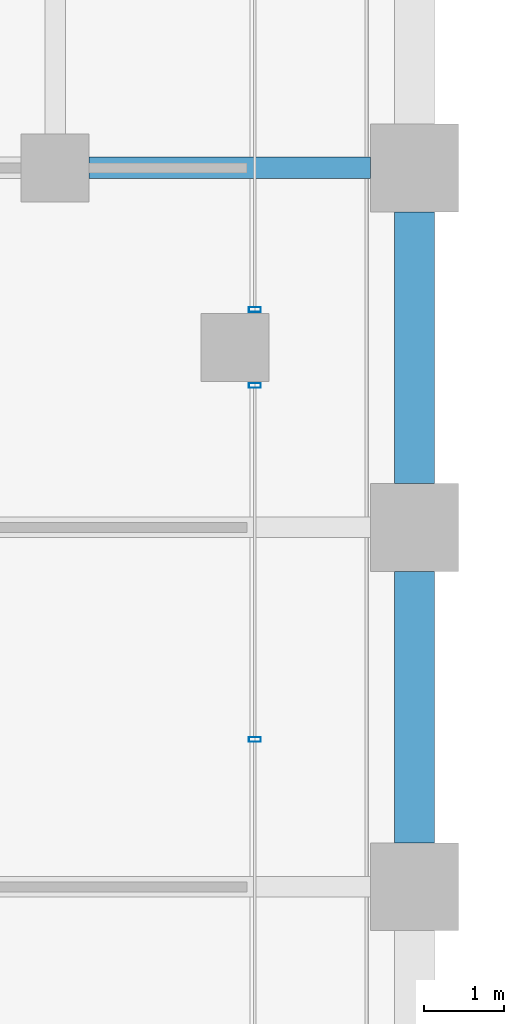
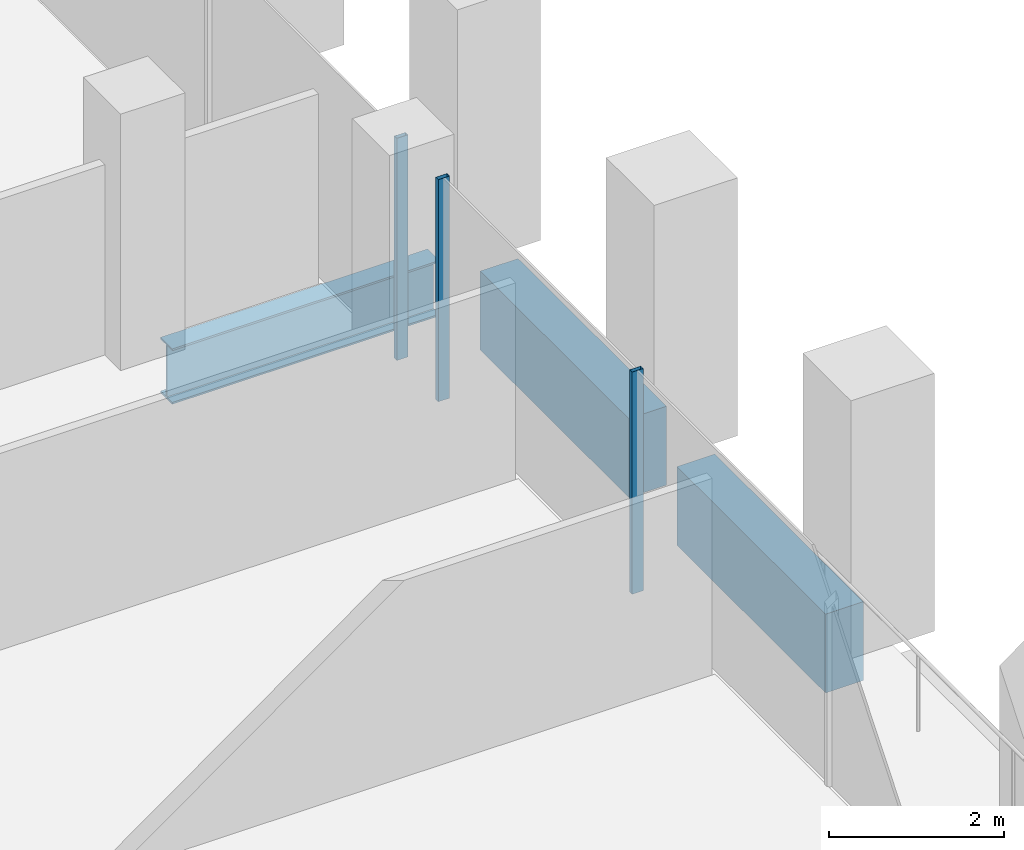
# One storey, part 22 of 56: 3 beams, 3 members, 2 elements without a shape of their own.
"""IFC4 building model written with IfcOpenShell, lengths in metres."""

import ifcopenshell
import ifcopenshell.guid

model = None  # the IFC model being written
_history = None  # IfcOwnerHistory: only IFC2X3 demands one
_inside = {}  # id of a spatial element -> (the spatial element, [elements in it])
_under = {}  # id of a project, library or spatial element -> (it, [spatial elements below it])
_declared = {}  # id of a project -> (the project, [libraries it declares])
_typed = {}  # id of a type object -> (the type object, [elements of that type])
_made_of = {}  # id of a material, layer set ... -> (it, [elements and type objects made of it])


def new_model(schema):
    """Start an empty IFC model of exactly this schema.

    Asked for "IFC4X3", IfcOpenShell would pick the latest addendum, in which some entities
    have other attributes; the version numbers below select the first issue.
    IFC2X3 requires an IfcOwnerHistory on every rooted entity: one is made here for all.
    """
    global model, _history
    if schema == "IFC4X3":
        model = ifcopenshell.file(schema_version=(4, 3, 0, 0))
    else:
        model = ifcopenshell.file(schema=schema)
    _inside.clear()
    _under.clear()
    _declared.clear()
    _typed.clear()
    _made_of.clear()
    _history = None
    if model.schema == "IFC2X3":
        org = make("IfcOrganization", Name="unknown")
        user = make(
            "IfcPersonAndOrganization",
            ThePerson=make("IfcPerson", FamilyName="unknown"),
            TheOrganization=org,
        )
        app = make(
            "IfcApplication",
            ApplicationDeveloper=org,
            Version="unknown",
            ApplicationFullName="unknown",
            ApplicationIdentifier="unknown",
        )
        _history = make(
            "IfcOwnerHistory",
            OwningUser=user,
            OwningApplication=app,
            ChangeAction="ADDED",
            CreationDate=0,
        )
    return model


def make(cls, **values):
    """One entity of the class cls with the attributes given. An attribute that is None is left unset."""
    return model.create_entity(
        cls, **{name: value for name, value in values.items() if value is not None}
    )


def rooted(cls, **values):
    """An entity with a GlobalId (a new one), such as an element, a storey or a relation."""
    return make(cls, GlobalId=ifcopenshell.guid.new(), OwnerHistory=_history, **values)


def si_unit(unit_type, name, prefix=None):
    """IfcSIUnit, for example si_unit("LENGTHUNIT", "METRE", prefix="MILLI")."""
    return make("IfcSIUnit", UnitType=unit_type, Prefix=prefix, Name=name)


def assignment(units):
    """IfcUnitAssignment: the units of a project."""
    return None if units is None else make("IfcUnitAssignment", Units=units)


def point(xyz):
    """IfcCartesianPoint."""
    return None if xyz is None else make("IfcCartesianPoint", Coordinates=xyz)


def direction(xyz):
    """IfcDirection."""
    return None if xyz is None else make("IfcDirection", DirectionRatios=xyz)


def frame(location, z_axis=None, x_axis=None):
    """IfcAxis2Placement3D, a coordinate frame: its origin and axes. An axis left out is left unset."""
    return make(
        "IfcAxis2Placement3D",
        Location=point(location),
        Axis=direction(z_axis),
        RefDirection=direction(x_axis),
    )


def frame_2d(location, x_axis=None):
    """IfcAxis2Placement2D, a coordinate frame in the plane: its origin and x axis."""
    return make(
        "IfcAxis2Placement2D", Location=point(location), RefDirection=direction(x_axis)
    )


def origin():
    """The frame at (0, 0, 0) with its axes left unset."""
    return frame((0.0, 0.0, 0.0))


def origin_2d():
    """The frame at (0, 0) in the plane with its x axis left unset."""
    return frame_2d((0.0, 0.0))


def place(relative_to, where):
    """IfcLocalPlacement: puts the frame where relative to a parent placement (None: the world)."""
    return make(
        "IfcLocalPlacement", PlacementRelTo=relative_to, RelativePlacement=where
    )


def context(
    kind, dimensions, precision=None, world=None, true_north=None, identifier=None
):
    """IfcGeometricRepresentationContext, for example the 3D "Model" context."""
    return make(
        "IfcGeometricRepresentationContext",
        ContextIdentifier=identifier,
        ContextType=kind,
        CoordinateSpaceDimension=dimensions,
        Precision=precision,
        WorldCoordinateSystem=world,
        TrueNorth=true_north,
    )


def subcontext(parent, identifier, kind, view, scale=None):
    """IfcGeometricRepresentationSubContext, for example "Body" below "Model"."""
    return make(
        "IfcGeometricRepresentationSubContext",
        ContextIdentifier=identifier,
        ContextType=kind,
        ParentContext=parent,
        TargetScale=scale,
        TargetView=view,
    )


def project(units=None, contexts=None):
    """IfcProject with its units and contexts."""
    return rooted(
        "IfcProject",
        Name="project",
        RepresentationContexts=contexts,
        UnitsInContext=assignment(units),
    )


def spatial(cls, under=None, at=None, **own):
    """A site, building, storey or space (cls), placed at a placement, below another one or the project."""
    s = rooted(cls, ObjectPlacement=at, **own)
    if under is not None:
        _under.setdefault(under.id(), (under, []))[1].append(s)
    return s


def profile(cls, at=None, kind="AREA", **sizes):
    """A parametric profile (cls). Its sizes go by their IFC names, for example OverallWidth=200.0."""
    return make(cls, ProfileType=kind, Position=at, **sizes)


def rectangle(**sizes):
    """IfcRectangleProfileDef."""
    return profile("IfcRectangleProfileDef", **sizes)


def hollow_rectangle(**sizes):
    """IfcRectangleHollowProfileDef."""
    return profile("IfcRectangleHollowProfileDef", **sizes)


def i_section(**sizes):
    """IfcIShapeProfileDef."""
    return profile("IfcIShapeProfileDef", **sizes)


def extrude(swept, where, along, depth):
    """IfcExtrudedAreaSolid: the profile swept, set in the frame where, extruded along a direction by depth."""
    return make(
        "IfcExtrudedAreaSolid",
        SweptArea=swept,
        Position=where,
        ExtrudedDirection=direction(along),
        Depth=depth,
    )


def shape(context_of_items, identifier, shape_type, items):
    """IfcShapeRepresentation: the items that make up one representation, for example the "Body"."""
    return make(
        "IfcShapeRepresentation",
        ContextOfItems=context_of_items,
        RepresentationIdentifier=identifier,
        RepresentationType=shape_type,
        Items=items,
    )


def material(Name=None, Category=None):
    """IfcMaterial."""
    return make("IfcMaterial", Name=Name, Category=Category)


def material_profile(
    of_material, cross_section, Name=None, Category=None, Priority=None
):
    """IfcMaterialProfile: a cross section and its material."""
    return make(
        "IfcMaterialProfile",
        Name=Name,
        Material=of_material,
        Profile=cross_section,
        Priority=Priority,
        Category=Category,
    )


def profile_set(profiles, Name=None, composite=None):
    """IfcMaterialProfileSet."""
    return make(
        "IfcMaterialProfileSet",
        Name=Name,
        MaterialProfiles=profiles,
        CompositeProfile=composite,
    )


def made_of(thing, what):
    """Note that an element or type object is made of a material, layer set ...; save() writes the relation."""
    if what is not None:
        _made_of.setdefault(what.id(), (what, []))[1].append(thing)
    return thing


def type_object(cls, material=None, **own):
    """A type object (cls), such as IfcWallType, which elements share."""
    return made_of(rooted(cls, **own), material)


def element(
    cls,
    number,
    at=None,
    inside=None,
    cuts=None,
    type_object=None,
    material=None,
    context=None,
    identifier="Body",
    shape_type=None,
    held_by="IfcProductDefinitionShape",
    body=None,
    shapes=None,
    **own,
):
    """One element of the class cls, such as IfcWall. Its Tag is "e" and its number.

    at: its placement. inside: the storey or other place that contains it. cuts: it is an
    opening in that element (IfcRelVoidsElement). A single representation is given by context,
    identifier, shape_type and body (its items); several are given by shapes. held_by: the class
    of the entity that holds the representations. save() writes the other relations.
    """
    e = rooted(cls, Tag="e%d" % number, ObjectPlacement=at, **own)
    if body is not None:
        shapes = [shape(context, identifier, shape_type, body)]
    if shapes is not None:
        e.Representation = make(held_by, Representations=shapes)
    if inside is not None:
        _inside.setdefault(inside.id(), (inside, []))[1].append(e)
    if cuts is not None:
        rooted(
            "IfcRelVoidsElement", RelatingBuildingElement=cuts, RelatedOpeningElement=e
        )
    if type_object is not None:
        _typed.setdefault(type_object.id(), (type_object, []))[1].append(e)
    return made_of(e, material)


def aggregate(whole, parts):
    """IfcRelAggregates: a whole, such as a stair, and the parts it consists of."""
    return rooted("IfcRelAggregates", RelatingObject=whole, RelatedObjects=parts)


def save(model, path):
    """Write the relations noted so far, then the file.

    IfcRelAggregates (storeys below a building ...), IfcRelContainedInSpatialStructure (elements
    in a storey), IfcRelDefinesByType, IfcRelAssociatesMaterial and IfcRelDeclares: one each for
    every whole, place, type object, material and project.
    """
    for whole, parts in _under.values():
        aggregate(whole, parts)
    for where, things in _inside.values():
        rooted(
            "IfcRelContainedInSpatialStructure",
            RelatedElements=things,
            RelatingStructure=where,
        )
    for kind, things in _typed.values():
        rooted("IfcRelDefinesByType", RelatedObjects=things, RelatingType=kind)
    for what, things in _made_of.values():
        rooted("IfcRelAssociatesMaterial", RelatedObjects=things, RelatingMaterial=what)
    for by, libraries in _declared.values():
        rooted("IfcRelDeclares", RelatingContext=by, RelatedDefinitions=libraries)
    model.write(path)


model = new_model("IFC4")

# Units and contexts
model_context = context("Model", 3, precision=1e-05, world=origin(), true_north=direction((0.0, 1.0)))
body_context = subcontext(model_context, "Body", "Model", "MODEL_VIEW")
ifc_project = project(units=[si_unit("LENGTHUNIT", "METRE"), si_unit("AREAUNIT", "SQUARE_METRE"), si_unit("VOLUMEUNIT", "CUBIC_METRE"), si_unit("PLANEANGLEUNIT", "RADIAN"), si_unit("MASSUNIT", "GRAM", prefix="KILO")], contexts=[model_context])

# Site, building, storey
site_placement = place(None, origin())
site = spatial("IfcSite", under=ifc_project, at=site_placement, CompositionType="ELEMENT")
building_placement = place(site_placement, origin())
building = spatial("IfcBuilding", under=site, at=building_placement, Name="Altepetl Exchange Towers", CompositionType="ELEMENT")
storey_placement = place(building_placement, frame((0.0, 0.0, 72.60009765625)))
storey = spatial("IfcBuildingStorey", under=building, at=storey_placement, Name="L17", CompositionType="ELEMENT", Elevation=72.60009765625)

# Beam
ifc_material_1 = material(Name="Steel S355", Category="steel")
ifc_material_profile_1 = material_profile(ifc_material_1, i_section(OverallWidth=0.26806640625, OverallDepth=0.77392578125, WebThickness=0.015380859375, FlangeThickness=0.025390625, at=origin_2d()), Name="W30X132")
ifc_profile_set_1 = profile_set([ifc_material_profile_1], Name="Steel S355")
beam_type_1 = type_object("IfcBeamType", Name="Girder W30X132", PredefinedType="BEAM", material=ifc_profile_set_1)
beam_placement = place(storey_placement, frame((67.925048828125, 58.5, -0.537109375), z_axis=(1.0, 0.0, 0.0), x_axis=(0.0, 1.0, 0.0)))
element("IfcBeam", 1, at=beam_placement, inside=storey, type_object=beam_type_1, Name="gd:A:L17:002", PredefinedType="BEAM", context=body_context, shape_type="SweptSolid", body=[
    extrude(i_section(OverallWidth=0.26806640625, OverallDepth=0.77392578125, WebThickness=0.015380859375, FlangeThickness=0.025390625, at=origin_2d()), origin(), (0.0, 0.0, 1.0), 3.52490234375),
])

# Curtain wall, members
ifc_material_2 = material(Name="Aluminium 6063-T6 glazing", Category="aluminium")
curtain_wall_type = type_object("IfcCurtainWallType", Name="Loggia glazing system", PredefinedType="NOTDEFINED", material=ifc_material_2)
curtain_wall_1_placement = place(storey_placement, origin())
curtain_wall_1 = element("IfcCurtainWall", 2, at=curtain_wall_1_placement, inside=storey, type_object=curtain_wall_type, Name="CW1 run", PredefinedType="NOTDEFINED")
ifc_material_3 = material(Name="Aluminium 6063-T6", Category="aluminium")
ifc_material_profile_2 = material_profile(ifc_material_3, hollow_rectangle(XDim=0.06005859375, YDim=0.14990234375, WallThickness=0.0029296875, at=origin_2d()), Name="Mullion 60x150 aluminium")
ifc_profile_set_2 = profile_set([ifc_material_profile_2], Name="Aluminium 6063-T6")
member_type = type_object("IfcMemberType", Name="Mullion 60x150 aluminium", PredefinedType="MULLION", material=ifc_profile_set_2)
member_1_placement = place(storey_placement, frame((70.0, 51.343994140625, 0.0), z_axis=(0.0, 0.0, 1.0), x_axis=(0.0, 1.0, 0.0)))
member_1 = element("IfcMember", 3, at=member_1_placement, type_object=member_type, Name="MU1 mullion", PredefinedType="MULLION", context=body_context, shape_type="SweptSolid", body=[
    extrude(hollow_rectangle(XDim=0.06005859375, YDim=0.14990234375, WallThickness=0.0029296875, at=origin_2d()), origin(), (0.0, 0.0, 1.0), 3.099853515625),
])
member_2_placement = place(storey_placement, frame((70.0, 55.77490234375, 0.0), z_axis=(0.0, 0.0, 1.0), x_axis=(0.0, 1.0, 0.0)))
member_2 = element("IfcMember", 4, at=member_2_placement, type_object=member_type, Name="MU1 mullion", PredefinedType="MULLION", context=body_context, shape_type="SweptSolid", body=[
    extrude(hollow_rectangle(XDim=0.06005859375, YDim=0.14990234375, WallThickness=0.0029296875, at=origin_2d()), origin(), (0.0, 0.0, 1.0), 3.099853515625),
])
aggregate(curtain_wall_1, [member_1, member_2])

# Curtain wall, member
curtain_wall_2_placement = place(storey_placement, origin())
curtain_wall_2 = element("IfcCurtainWall", 5, at=curtain_wall_2_placement, inside=storey, type_object=curtain_wall_type, Name="CW1 run", PredefinedType="NOTDEFINED")
member_3_placement = place(storey_placement, frame((70.0, 56.72509765625, 0.0), z_axis=(0.0, 0.0, 1.0), x_axis=(0.0, 1.0, 0.0)))
member_3 = element("IfcMember", 6, at=member_3_placement, type_object=member_type, Name="MU1 mullion", PredefinedType="MULLION", context=body_context, shape_type="SweptSolid", body=[
    extrude(hollow_rectangle(XDim=0.06005859375, YDim=0.14990234375, WallThickness=0.0029296875, at=origin_2d()), origin(), (0.0, 0.0, 1.0), 3.099853515625),
])
aggregate(curtain_wall_2, [member_3])

# Beams
ifc_material_4 = material(Name="Concrete C50/60 precast with cantera amarilla facing", Category="concrete")
ifc_material_profile_3 = material_profile(ifc_material_4, rectangle(XDim=0.5, YDim=1.10009765625, at=origin_2d()), Name="500 x 1100")
ifc_profile_set_3 = profile_set([ifc_material_profile_3], Name="Concrete C50/60 precast with cantera amarilla facing")
beam_type_2 = type_object("IfcBeamType", Name="Spandrel beam 500x1100 cantera amarilla", PredefinedType="SPANDREL", material=ifc_profile_set_3)
for number, where, z_axis, x_axis, name in (
    (7, (72.0, 50.050048828125, -0.7001953125), (0.0, 1.0, 0.0), (-1.0, 0.0, 0.0), "sp:A:L17:016"),
    (8, (72.0, 54.550048828125, -0.7001953125), (0.0, 1.0, 0.0), (-1.0, 0.0, 0.0), "sp:A:L17:017"),
):
    element("IfcBeam", number, at=place(storey_placement, frame(where, z_axis=z_axis, x_axis=x_axis)), inside=storey, type_object=beam_type_2, Name=name, PredefinedType="SPANDREL", context=body_context, shape_type="SweptSolid", body=[
        extrude(rectangle(XDim=0.5, YDim=1.10009765625, at=origin_2d()), origin(), (0.0, 0.0, 1.0), 3.39990234375),
    ])

save(model, "model.ifc")
